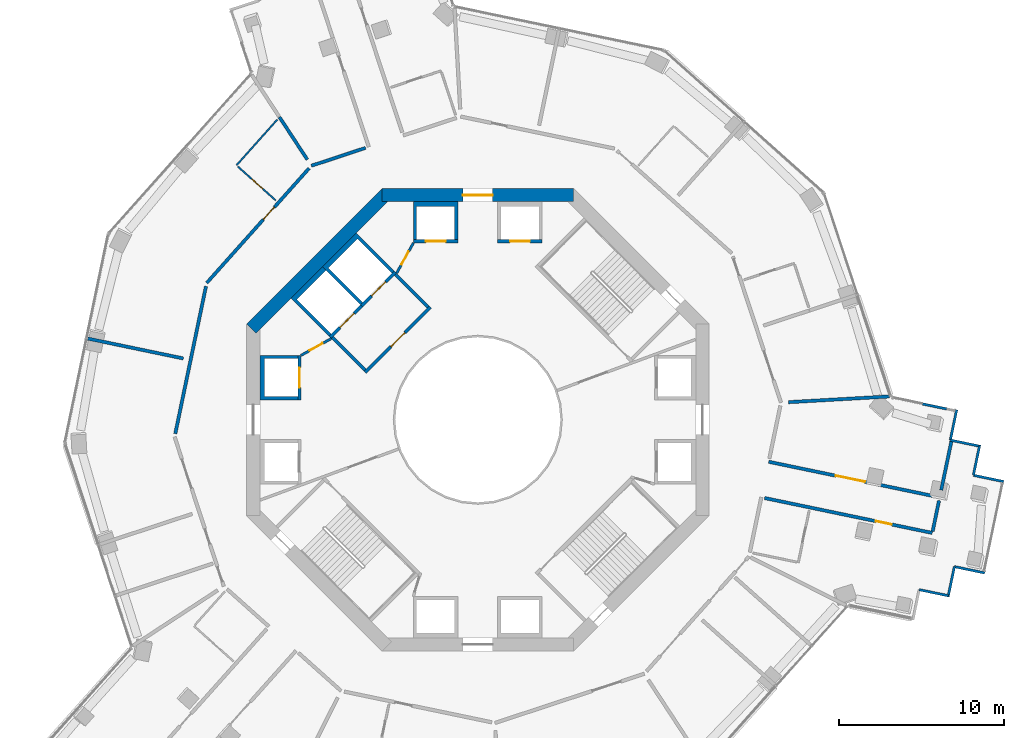
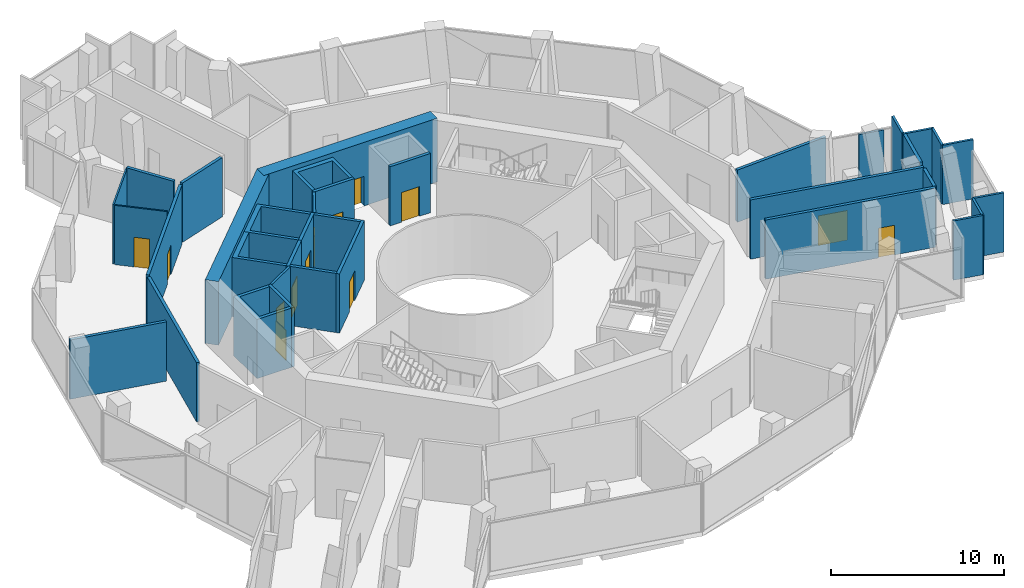
# One storey, part 16 of 21: 36 walls, 13 doors, 13 openings.
"""IFC4 building model written with IfcOpenShell, lengths in metres."""

from ifc_helpers import new_model, si_unit, direction, frame, frame_2d, origin, place, context, subcontext, project, spatial, polyline, rectangle, outline, extrude, material, layer, layer_set, type_object, element, fill, save


model = new_model("IFC4")

# Units and contexts
model_context = context("Model", 3, precision=1e-05, world=origin(), true_north=direction((0.0, 1.0)))
body_context = subcontext(model_context, "Body", "Model", "MODEL_VIEW")
ifc_project = project(units=[si_unit("LENGTHUNIT", "METRE"), si_unit("AREAUNIT", "SQUARE_METRE"), si_unit("VOLUMEUNIT", "CUBIC_METRE"), si_unit("PLANEANGLEUNIT", "RADIAN"), si_unit("MASSUNIT", "GRAM", prefix="KILO")], contexts=[model_context])

# Site, building, storey
site_placement = place(None, origin())
site = spatial("IfcSite", under=ifc_project, at=site_placement, CompositionType="ELEMENT")
building_placement = place(site_placement, origin())
building = spatial("IfcBuilding", under=site, at=building_placement, Name="Verdalira Terraces Hotel", CompositionType="ELEMENT")
storey_placement = place(building_placement, frame((0.0, 0.0, 107.0)))
storey = spatial("IfcBuildingStorey", under=building, at=storey_placement, Name="L25", CompositionType="ELEMENT", Elevation=107.0)

# Wall, opening, door
ifc_material_1 = material(Name="Moisture-resistant gypsum board partition")
ifc_layer_1 = layer(ifc_material_1, 0.10009765625)
ifc_layer_set_1 = layer_set([ifc_layer_1], Name="Bathroom partition 100 mm")
wall_type_1 = type_object("IfcWallType", Name="Bathroom partition 100 mm", PredefinedType="PARTITIONING", material=ifc_layer_set_1)
wall_1_placement = place(storey_placement, frame((-14.537109, 15.33667, 0.0), z_axis=(0.0, 0.0, 1.0), x_axis=(0.745947444, -0.666004813, 0.0)))
wall_1 = element("IfcWall", 1, at=wall_1_placement, inside=storey, type_object=wall_type_1, Name="Bathroom partition", PredefinedType="PARTITIONING", context=body_context, shape_type="SweptSolid", body=[
    extrude(rectangle(XDim=3.099854, YDim=0.100098, at=frame_2d((1.549805, 0.0))), origin(), (0.0, 0.0, 1.0), 4.189941),
])
opening_1_placement = place(wall_1_placement, frame((1.149902, 0.0, 0.0)))
opening_1 = element("IfcOpeningElement", 2, at=opening_1_placement, cuts=wall_1, Name="Opening L25-105", PredefinedType="OPENING", context=body_context, shape_type="SweptSolid", body=[
    extrude(rectangle(XDim=0.899902, YDim=2.100098, at=frame_2d((0.449951, 1.050049))), frame((0.0, 0.060059, 0.0), z_axis=(0.0, -1.0, 0.0), x_axis=(1.0, 0.0, 0.0)), (0.0, 0.0, 1.0), 0.120117),
])
ifc_material_2 = material(Name="Timber door", Category="wood")
door_type_1 = type_object("IfcDoorType", Name="Bathroom door 900 x 2100", OperationType="NOTDEFINED", PredefinedType="DOOR", material=ifc_material_2)
door_1_placement = place(opening_1_placement, origin())
door_1 = element("IfcDoor", 3, at=door_1_placement, inside=storey, type_object=door_type_1, Name="Bathroom door 2503", OperationType="SINGLE_SWING_LEFT", OverallHeight=2.10009765625, OverallWidth=0.89990234375, PredefinedType="DOOR", context=body_context, shape_type="SweptSolid", body=[
    extrude(rectangle(XDim=0.899902, YDim=2.100098, at=frame_2d((0.449951, 1.050049))), frame((0.0, 0.024902, 0.0), z_axis=(0.0, -1.0, 0.0), x_axis=(1.0, 0.0, 0.0)), (0.0, 0.0, 1.0), 0.050049),
])
fill(opening_1, door_1)

# Wall
wall_2_placement = place(storey_placement, frame((-14.611816, 15.40332, 0.0), z_axis=(0.0, 0.0, 1.0), x_axis=(0.665998741, 0.745952865, 0.0)))
element("IfcWall", 4, at=wall_2_placement, inside=storey, type_object=wall_type_1, Name="Bathroom partition", PredefinedType="PARTITIONING", context=body_context, shape_type="SweptSolid", body=[
    extrude(rectangle(XDim=3.703857, YDim=0.100098, at=frame_2d((1.852051, 0.0))), origin(), (0.0, 0.0, 1.0), 4.189941),
])

# Wall, opening, door
ifc_material_3 = material(Name="Concrete C50", Category="concrete")
ifc_layer_2 = layer(ifc_material_3, 0.199951171875)
ifc_layer_set_2 = layer_set([ifc_layer_2], Name="Core RC wall 200 C50")
wall_type_2 = type_object("IfcWallType", Name="Core RC wall 200 C50", PredefinedType="SOLIDWALL", material=ifc_layer_set_2)
wall_3_placement = place(storey_placement, frame((1.199951, 10.800049, 0.0), z_axis=(0.0, 0.0, 1.0), x_axis=(1.0, 0.0, 0.0)))
wall_3 = element("IfcWall", 5, at=wall_3_placement, inside=storey, type_object=wall_type_2, Name="L25 shaft front wall N1", PredefinedType="SOLIDWALL", context=body_context, shape_type="SweptSolid", body=[
    extrude(rectangle(XDim=2.699951, YDim=0.199951, at=frame_2d((1.350098, 0.0))), origin(), (0.0, 0.0, 1.0), 4.189941),
])
opening_2_placement = place(wall_3_placement, frame((0.75, 0.0, 0.0)))
opening_2 = element("IfcOpeningElement", 6, at=opening_2_placement, cuts=wall_3, Name="Opening LD-L25-803", PredefinedType="OPENING", context=body_context, shape_type="SweptSolid", body=[
    extrude(rectangle(XDim=1.199951, YDim=2.100098, at=frame_2d((0.600098, 1.050049))), frame((0.0, 0.109863, 0.0), z_axis=(0.0, -1.0, 0.0), x_axis=(1.0, 0.0, 0.0)), (0.0, 0.0, 1.0), 0.219971),
])
ifc_material_4 = material(Name="Stainless steel", Category="steel")
door_type_2 = type_object("IfcDoorType", Name="Landing door 1200 x 2100", OperationType="NOTDEFINED", PredefinedType="DOOR", material=ifc_material_4)
door_2_placement = place(opening_2_placement, origin())
door_2 = element("IfcDoor", 7, at=door_2_placement, inside=storey, type_object=door_type_2, Name="Lift landing door LR3 L25", OperationType="DOUBLE_DOOR_SLIDING", OverallHeight=2.10009765625, OverallWidth=1.199951171875, PredefinedType="DOOR", context=body_context, shape_type="SweptSolid", body=[
    extrude(rectangle(XDim=1.199951, YDim=2.100098, at=frame_2d((0.600098, 1.050049))), frame((0.0, 0.024902, 0.0), z_axis=(0.0, -1.0, 0.0), x_axis=(1.0, 0.0, 0.0)), (0.0, 0.0, 1.0), 0.050049),
])
fill(opening_2, door_2)

# Wall
wall_4_placement = place(storey_placement, origin())
element("IfcWall", 8, at=wall_4_placement, inside=storey, type_object=wall_type_2, Name="L25 shaft wall N2", PredefinedType="SOLIDWALL", context=body_context, shape_type="SweptSolid", body=[
    extrude(outline(polyline([(-3.899902, 10.899902), (-3.899902, 13.199951), (-1.199951, 13.199951), (-1.199951, 10.899902), (-1.399902, 10.899902), (-1.399902, 12.899902), (-3.699951, 12.899902), (-3.699951, 10.899902), (-3.899902, 10.899902)])), origin(), (0.0, 0.0, 1.0), 4.189941),
])

# Wall, opening, door
wall_5_placement = place(storey_placement, frame((-1.199951, 10.800049, 0.0), z_axis=(0.0, 0.0, 1.0), x_axis=(-1.0, 0.0, 0.0)))
wall_5 = element("IfcWall", 9, at=wall_5_placement, inside=storey, type_object=wall_type_2, Name="L25 shaft front wall N2", PredefinedType="SOLIDWALL", context=body_context, shape_type="SweptSolid", body=[
    extrude(rectangle(XDim=2.699951, YDim=0.199951, at=frame_2d((1.350098, 0.0))), origin(), (0.0, 0.0, 1.0), 4.189941),
])
opening_3_placement = place(wall_5_placement, frame((0.75, 0.0, 0.0)))
opening_3 = element("IfcOpeningElement", 10, at=opening_3_placement, cuts=wall_5, Name="Opening LD-L25-804", PredefinedType="OPENING", context=body_context, shape_type="SweptSolid", body=[
    extrude(rectangle(XDim=1.199951, YDim=2.100098, at=frame_2d((0.600098, 1.050049))), frame((0.0, 0.109863, 0.0), z_axis=(0.0, -1.0, 0.0), x_axis=(1.0, 0.0, 0.0)), (0.0, 0.0, 1.0), 0.219971),
])
door_3_placement = place(opening_3_placement, origin())
door_3 = element("IfcDoor", 11, at=door_3_placement, inside=storey, type_object=door_type_2, Name="Lift landing door LR4 L25", OperationType="DOUBLE_DOOR_SLIDING", OverallHeight=2.10009765625, OverallWidth=1.199951171875, PredefinedType="DOOR", context=body_context, shape_type="SweptSolid", body=[
    extrude(rectangle(XDim=1.199951, YDim=2.100098, at=frame_2d((0.600098, 1.050049))), frame((0.0, 0.024902, 0.0), z_axis=(0.0, -1.0, 0.0), x_axis=(1.0, 0.0, 0.0)), (0.0, 0.0, 1.0), 0.050049),
])
fill(opening_3, door_3)

# Wall
wall_6_placement = place(storey_placement, origin())
element("IfcWall", 12, at=wall_6_placement, inside=storey, type_object=wall_type_2, Name="L25 shaft wall W1", PredefinedType="SOLIDWALL", context=body_context, shape_type="SweptSolid", body=[
    extrude(outline(polyline([(-13.199951, 3.899902), (-10.899902, 3.899902), (-10.899902, 3.699951), (-12.899902, 3.699951), (-12.899902, 1.399902), (-10.899902, 1.399902), (-10.899902, 1.199951), (-13.199951, 1.199951), (-13.199951, 3.899902)])), origin(), (0.0, 0.0, 1.0), 4.189941),
])

# Wall, opening, door
wall_7_placement = place(storey_placement, frame((-10.800049, 1.199951, 0.0), z_axis=(0.0, 0.0, 1.0), x_axis=(0.0, 1.0, 0.0)))
wall_7 = element("IfcWall", 13, at=wall_7_placement, inside=storey, type_object=wall_type_2, Name="L25 shaft front wall W1", PredefinedType="SOLIDWALL", context=body_context, shape_type="SweptSolid", body=[
    extrude(rectangle(XDim=2.699951, YDim=0.199951, at=frame_2d((1.350098, 0.0))), origin(), (0.0, 0.0, 1.0), 4.189941),
])
opening_4_placement = place(wall_7_placement, frame((0.75, 0.0, 0.0)))
opening_4 = element("IfcOpeningElement", 14, at=opening_4_placement, cuts=wall_7, Name="Opening LD-L25-805", PredefinedType="OPENING", context=body_context, shape_type="SweptSolid", body=[
    extrude(rectangle(XDim=1.199951, YDim=2.100098, at=frame_2d((0.600098, 1.050049))), frame((0.0, 0.109863, 0.0), z_axis=(0.0, -1.0, 0.0), x_axis=(1.0, 0.0, 0.0)), (0.0, 0.0, 1.0), 0.219971),
])
door_4_placement = place(opening_4_placement, origin())
door_4 = element("IfcDoor", 15, at=door_4_placement, inside=storey, type_object=door_type_2, Name="Lift landing door LR5 L25", OperationType="DOUBLE_DOOR_SLIDING", OverallHeight=2.10009765625, OverallWidth=1.199951171875, PredefinedType="DOOR", context=body_context, shape_type="SweptSolid", body=[
    extrude(rectangle(XDim=1.199951, YDim=2.100098, at=frame_2d((0.600098, 1.050049))), frame((0.0, 0.024902, 0.0), z_axis=(0.0, -1.0, 0.0), x_axis=(1.0, 0.0, 0.0)), (0.0, 0.0, 1.0), 0.050049),
])
fill(opening_4, door_4)

# Wall
wall_8_placement = place(storey_placement, origin())
element("IfcWall", 16, at=wall_8_placement, inside=storey, type_object=wall_type_2, Name="L25 shaft wall F1", PredefinedType="SOLIDWALL", context=body_context, shape_type="SweptSolid", body=[
    extrude(outline(polyline([(-9.404541, 9.263184), (-7.354004, 11.313721), (-5.055908, 9.015625), (-5.197266, 8.874268), (-7.283203, 10.960205), (-9.051025, 9.192383), (-6.965088, 7.106445), (-7.106445, 6.965088), (-9.404541, 9.263184)])), origin(), (0.0, 0.0, 1.0), 4.189941),
])

# Wall, opening, door
wall_9_placement = place(storey_placement, frame((-4.985107, 8.944824, 0.0), z_axis=(0.0, 0.0, 1.0), x_axis=(-0.707106781, -0.707106781, 0.0)))
wall_9 = element("IfcWall", 17, at=wall_9_placement, inside=storey, type_object=wall_type_2, Name="L25 shaft front wall F1", PredefinedType="SOLIDWALL", context=body_context, shape_type="SweptSolid", body=[
    extrude(rectangle(XDim=2.899902, YDim=0.199951, at=frame_2d((1.449951, 0.0))), origin(), (0.0, 0.0, 1.0), 4.189941),
])
opening_5_placement = place(wall_9_placement, frame((0.850098, 0.0, 0.0)))
opening_5 = element("IfcOpeningElement", 18, at=opening_5_placement, cuts=wall_9, Name="Opening LD-L25-807", PredefinedType="OPENING", context=body_context, shape_type="SweptSolid", body=[
    extrude(rectangle(XDim=1.199951, YDim=2.100098, at=frame_2d((0.600098, 1.050049))), frame((0.0, 0.109863, 0.0), z_axis=(0.0, -1.0, 0.0), x_axis=(1.0, 0.0, 0.0)), (0.0, 0.0, 1.0), 0.219971),
])
door_5_placement = place(opening_5_placement, origin())
door_5 = element("IfcDoor", 19, at=door_5_placement, inside=storey, type_object=door_type_2, Name="Lift landing door LF11 L25", OperationType="DOUBLE_DOOR_SLIDING", OverallHeight=2.10009765625, OverallWidth=1.199951171875, PredefinedType="DOOR", context=body_context, shape_type="SweptSolid", body=[
    extrude(rectangle(XDim=1.199951, YDim=2.100098, at=frame_2d((0.600098, 1.050049))), frame((0.0, 0.024902, 0.0), z_axis=(0.0, -1.0, 0.0), x_axis=(1.0, 0.0, 0.0)), (0.0, 0.0, 1.0), 0.050049),
])
fill(opening_5, door_5)

# Wall
wall_10_placement = place(storey_placement, origin())
element("IfcWall", 20, at=wall_10_placement, inside=storey, type_object=wall_type_2, Name="L25 shaft wall F2", PredefinedType="SOLIDWALL", context=body_context, shape_type="SweptSolid", body=[
    extrude(outline(polyline([(-11.313721, 7.354004), (-9.404541, 9.263184), (-9.192383, 9.051025), (-10.960205, 7.283203), (-8.874268, 5.197266), (-9.015625, 5.055908), (-11.313721, 7.354004)])), origin(), (0.0, 0.0, 1.0), 4.189941),
])

# Wall, opening, door
wall_11_placement = place(storey_placement, frame((-7.035645, 6.894287, 0.0), z_axis=(0.0, 0.0, 1.0), x_axis=(-0.707106781, -0.707106781, 0.0)))
wall_11 = element("IfcWall", 21, at=wall_11_placement, inside=storey, type_object=wall_type_2, Name="L25 shaft front wall F2", PredefinedType="SOLIDWALL", context=body_context, shape_type="SweptSolid", body=[
    extrude(rectangle(XDim=2.699951, YDim=0.199951, at=frame_2d((1.350098, 0.0))), origin(), (0.0, 0.0, 1.0), 4.189941),
])
opening_6_placement = place(wall_11_placement, frame((0.649902, 0.0, 0.0)))
opening_6 = element("IfcOpeningElement", 22, at=opening_6_placement, cuts=wall_11, Name="Opening LD-L25-808", PredefinedType="OPENING", context=body_context, shape_type="SweptSolid", body=[
    extrude(rectangle(XDim=1.199951, YDim=2.100098, at=frame_2d((0.600098, 1.050049))), frame((0.0, 0.109863, 0.0), z_axis=(0.0, -1.0, 0.0), x_axis=(1.0, 0.0, 0.0)), (0.0, 0.0, 1.0), 0.219971),
])
door_6_placement = place(opening_6_placement, origin())
door_6 = element("IfcDoor", 23, at=door_6_placement, inside=storey, type_object=door_type_2, Name="Lift landing door LF12 L25", OperationType="DOUBLE_DOOR_SLIDING", OverallHeight=2.10009765625, OverallWidth=1.199951171875, PredefinedType="DOOR", context=body_context, shape_type="SweptSolid", body=[
    extrude(rectangle(XDim=1.199951, YDim=2.100098, at=frame_2d((0.600098, 1.050049))), frame((0.0, 0.024902, 0.0), z_axis=(0.0, -1.0, 0.0), x_axis=(1.0, 0.0, 0.0)), (0.0, 0.0, 1.0), 0.050049),
])
fill(opening_6, door_6)

wall_12_placement = place(storey_placement, frame((-2.86377, 6.823486, 0.0), z_axis=(0.0, 0.0, 1.0), x_axis=(-0.707106781, -0.707106781, 0.0)))
wall_12 = element("IfcWall", 24, at=wall_12_placement, inside=storey, type_object=wall_type_2, Name="L25 fire lobby wall", PredefinedType="SOLIDWALL", context=body_context, shape_type="SweptSolid", body=[
    extrude(rectangle(XDim=5.599854, YDim=0.199951, at=frame_2d((2.799805, 0.0))), origin(), (0.0, 0.0, 1.0), 4.189941),
])
opening_7_placement = place(wall_12_placement, frame((2.199951, 0.0, 0.0)))
opening_7 = element("IfcOpeningElement", 25, at=opening_7_placement, cuts=wall_12, Name="Opening L25-819", PredefinedType="OPENING", context=body_context, shape_type="SweptSolid", body=[
    extrude(rectangle(XDim=1.199951, YDim=2.100098, at=frame_2d((0.600098, 1.050049))), frame((0.0, 0.109863, 0.0), z_axis=(0.0, -1.0, 0.0), x_axis=(1.0, 0.0, 0.0)), (0.0, 0.0, 1.0), 0.219971),
])
ifc_material_5 = material(Name="Steel fire door", Category="steel")
door_type_3 = type_object("IfcDoorType", Name="Lobby door 1200 x 2100", OperationType="NOTDEFINED", PredefinedType="DOOR", material=ifc_material_5)
door_7_placement = place(opening_7_placement, origin())
door_7 = element("IfcDoor", 26, at=door_7_placement, inside=storey, type_object=door_type_3, Name="Fire lobby door L25", OperationType="SINGLE_SWING_LEFT", OverallHeight=2.10009765625, OverallWidth=1.199951171875, PredefinedType="DOOR", context=body_context, shape_type="SweptSolid", body=[
    extrude(rectangle(XDim=1.199951, YDim=2.100098, at=frame_2d((0.600098, 1.050049))), frame((0.0, 0.024902, 0.0), z_axis=(0.0, -1.0, 0.0), x_axis=(1.0, 0.0, 0.0)), (0.0, 0.0, 1.0), 0.050049),
])
fill(opening_7, door_7)

# Walls
for number, where, z_axis, x_axis, name in (
    (27, (-3.005127, 6.823486, 0.0), (0.0, 0.0, 1.0), (-0.707106781, 0.707106781, 0.0), "L25 fire lobby wall"),
    (28, (-6.823486, 3.005127, 0.0), (0.0, 0.0, 1.0), (-0.707106781, 0.707106781, 0.0), "L25 fire lobby wall"),
):
    element("IfcWall", number, at=place(storey_placement, frame(where, z_axis=z_axis, x_axis=x_axis)), inside=storey, type_object=wall_type_2, Name=name, PredefinedType="SOLIDWALL", context=body_context, shape_type="SweptSolid", body=[
        extrude(rectangle(XDim=2.800049, YDim=0.199951, at=frame_2d((1.399902, 0.0))), origin(), (0.0, 0.0, 1.0), 4.189941),
    ])

# Wall, opening, door
ifc_material_6 = material(Name="Gypsum board partition")
ifc_layer_3 = layer(ifc_material_6, 0.14990234375)
ifc_layer_set_3 = layer_set([ifc_layer_3], Name="Core partition 150 mm")
wall_type_3 = type_object("IfcWallType", Name="Core partition 150 mm", PredefinedType="PARTITIONING", material=ifc_layer_set_3)
wall_13_placement = place(storey_placement, frame((-3.899902, 10.699951, 0.0), z_axis=(0.0, 0.0, 1.0), x_axis=(-0.485692555, -0.874129705, 0.0)))
wall_13 = element("IfcWall", 29, at=wall_13_placement, inside=storey, type_object=wall_type_3, Name="Room partition L25", PredefinedType="PARTITIONING", context=body_context, shape_type="SweptSolid", body=[
    extrude(rectangle(XDim=2.088623, YDim=0.149902, at=frame_2d((1.044434, 0.0))), origin(), (0.0, 0.0, 1.0), 4.189941),
])
opening_8_placement = place(wall_13_placement, frame((0.594238, 0.0, 0.0)))
opening_8 = element("IfcOpeningElement", 30, at=opening_8_placement, cuts=wall_13, Name="Opening L25-820", PredefinedType="OPENING", context=body_context, shape_type="SweptSolid", body=[
    extrude(rectangle(XDim=0.899902, YDim=2.100098, at=frame_2d((0.449951, 1.050049))), frame((0.0, 0.084961, 0.0), z_axis=(0.0, -1.0, 0.0), x_axis=(1.0, 0.0, 0.0)), (0.0, 0.0, 1.0), 0.169922),
])
ifc_material_7 = material(Name="Steel fire door", Category="steel")
door_type_4 = type_object("IfcDoorType", Name="Core room door 900 x 2100", OperationType="NOTDEFINED", PredefinedType="DOOR", material=ifc_material_7)
door_8_placement = place(opening_8_placement, origin())
door_8 = element("IfcDoor", 31, at=door_8_placement, inside=storey, type_object=door_type_4, Name="Door L25 room2", OperationType="SINGLE_SWING_LEFT", OverallHeight=2.10009765625, OverallWidth=0.89990234375, PredefinedType="DOOR", context=body_context, shape_type="SweptSolid", body=[
    extrude(rectangle(XDim=0.899902, YDim=2.100098, at=frame_2d((0.449951, 1.050049))), frame((0.0, 0.024902, 0.0), z_axis=(0.0, -1.0, 0.0), x_axis=(1.0, 0.0, 0.0)), (0.0, 0.0, 1.0), 0.050049),
])
fill(opening_8, door_8)

wall_14_placement = place(storey_placement, frame((-8.874268, 4.914307, 0.0), z_axis=(0.0, 0.0, 1.0), x_axis=(-0.874129705, -0.485692555, 0.0)))
wall_14 = element("IfcWall", 32, at=wall_14_placement, inside=storey, type_object=wall_type_3, Name="Room partition L25", PredefinedType="PARTITIONING", context=body_context, shape_type="SweptSolid", body=[
    extrude(rectangle(XDim=2.088623, YDim=0.149902, at=frame_2d((1.044434, 0.0))), origin(), (0.0, 0.0, 1.0), 4.189941),
])
opening_9_placement = place(wall_14_placement, frame((0.594238, 0.0, 0.0)))
opening_9 = element("IfcOpeningElement", 33, at=opening_9_placement, cuts=wall_14, Name="Opening L25-821", PredefinedType="OPENING", context=body_context, shape_type="SweptSolid", body=[
    extrude(rectangle(XDim=0.899902, YDim=2.100098, at=frame_2d((0.449951, 1.050049))), frame((0.0, 0.084961, 0.0), z_axis=(0.0, -1.0, 0.0), x_axis=(1.0, 0.0, 0.0)), (0.0, 0.0, 1.0), 0.169922),
])
door_9_placement = place(opening_9_placement, origin())
door_9 = element("IfcDoor", 34, at=door_9_placement, inside=storey, type_object=door_type_4, Name="Door L25 room3", OperationType="SINGLE_SWING_LEFT", OverallHeight=2.10009765625, OverallWidth=0.89990234375, PredefinedType="DOOR", context=body_context, shape_type="SweptSolid", body=[
    extrude(rectangle(XDim=0.899902, YDim=2.100098, at=frame_2d((0.449951, 1.050049))), frame((0.0, 0.024902, 0.0), z_axis=(0.0, -1.0, 0.0), x_axis=(1.0, 0.0, 0.0)), (0.0, 0.0, 1.0), 0.050049),
])
fill(opening_9, door_9)

ifc_material_8 = material(Name="Concrete C70", Category="concrete")
ifc_layer_4 = layer(ifc_material_8, 0.800048828125)
ifc_layer_set_4 = layer_set([ifc_layer_4], Name="Core wall 800 C70")
wall_type_4 = type_object("IfcWallType", Name="Core wall 800 C70", PredefinedType="SHEAR", material=ifc_layer_set_4)
wall_15_placement = place(storey_placement, frame((5.799072, 13.600098, 0.0), z_axis=(0.0, 0.0, 1.0), x_axis=(-1.0, 0.0, 0.0)))
wall_15 = element("IfcWall", 35, at=wall_15_placement, inside=storey, type_object=wall_type_4, Name="Core wall CW-L25-3", PredefinedType="SHEAR", context=body_context, shape_type="SweptSolid", body=[
    extrude(rectangle(XDim=11.598145, YDim=0.800049, at=frame_2d((5.799072, 0.0))), origin(), (0.0, 0.0, 1.0), 4.5),
])
opening_10_placement = place(wall_15_placement, frame((4.898926, 0.0, 0.0)))
opening_10 = element("IfcOpeningElement", 36, at=opening_10_placement, cuts=wall_15, Name="Opening L25-813", PredefinedType="OPENING", context=body_context, shape_type="SweptSolid", body=[
    extrude(rectangle(XDim=1.800049, YDim=2.100098, at=frame_2d((0.899902, 1.050049))), frame((0.0, 0.409912, 0.0), z_axis=(0.0, -1.0, 0.0), x_axis=(1.0, 0.0, 0.0)), (0.0, 0.0, 1.0), 0.820068),
])
ifc_material_9 = material(Name="Steel fire door", Category="steel")
door_type_5 = type_object("IfcDoorType", Name="Core entry door pair 1800 x 2100", OperationType="NOTDEFINED", PredefinedType="DOOR", material=ifc_material_9)
door_10_placement = place(opening_10_placement, origin())
door_10 = element("IfcDoor", 37, at=door_10_placement, inside=storey, type_object=door_type_5, Name="Core entry door L25 2", OperationType="DOUBLE_DOOR_SINGLE_SWING", OverallHeight=2.10009765625, OverallWidth=1.800048828125, PredefinedType="DOOR", context=body_context, shape_type="SweptSolid", body=[
    extrude(rectangle(XDim=1.800049, YDim=2.100098, at=frame_2d((0.899902, 1.050049))), frame((0.0, 0.024902, 0.0), z_axis=(0.0, -1.0, 0.0), x_axis=(1.0, 0.0, 0.0)), (0.0, 0.0, 1.0), 0.050049),
])
fill(opening_10, door_10)

# Walls
wall_16_placement = place(storey_placement, frame((-5.516113, 13.717285, 0.0), z_axis=(0.0, 0.0, 1.0), x_axis=(-0.707106781, -0.707106781, 0.0)))
element("IfcWall", 38, at=wall_16_placement, inside=storey, type_object=wall_type_4, Name="Core wall CW-L25-4", PredefinedType="SHEAR", context=body_context, shape_type="SweptSolid", body=[
    extrude(rectangle(XDim=11.598145, YDim=0.800049, at=frame_2d((5.799072, 0.0))), origin(), (0.0, 0.0, 1.0), 4.5),
])
ifc_material_10 = material(Name="Fire-rated gypsum board wall")
ifc_layer_5 = layer(ifc_material_10, 0.199951171875)
ifc_layer_set_5 = layer_set([ifc_layer_5], Name="Demising wall 200 mm")
wall_type_5 = type_object("IfcWallType", Name="Demising wall 200 mm", PredefinedType="SOLIDWALL", material=ifc_layer_set_5)
wall_17_placement = place(storey_placement, frame((-23.602295, 4.913574, 0.0), z_axis=(0.0, 0.0, 1.0), x_axis=(0.979007251, -0.203825422, 0.0)))
element("IfcWall", 39, at=wall_17_placement, inside=storey, type_object=wall_type_5, Name="Demising wall", PredefinedType="SOLIDWALL", context=body_context, shape_type="SweptSolid", body=[
    extrude(rectangle(XDim=5.902832, YDim=0.199951, at=frame_2d((2.951416, 0.0))), origin(), (0.0, 0.0, 1.0), 4.189941),
])
wall_18_placement = place(storey_placement, frame((28.666504, -1.318359, 0.0), z_axis=(0.0, 0.0, 1.0), x_axis=(-0.203782281, -0.979016232, 0.0)))
element("IfcWall", 40, at=wall_18_placement, inside=storey, type_object=wall_type_5, Name="Demising wall", PredefinedType="SOLIDWALL", context=body_context, shape_type="SweptSolid", body=[
    extrude(rectangle(XDim=3.004639, YDim=0.199951, at=frame_2d((1.502441, 0.0))), origin(), (0.0, 0.0, 1.0), 4.189941),
])
ifc_material_11 = material(Name="Fire-rated gypsum board wall")
ifc_layer_6 = layer(ifc_material_11, 0.199951171875)
ifc_layer_set_6 = layer_set([ifc_layer_6], Name="Demising wall 200 mm to beam soffit")
wall_type_6 = type_object("IfcWallType", Name="Demising wall 200 mm to beam soffit", PredefinedType="SOLIDWALL", material=ifc_layer_set_6)
wall_19_placement = place(storey_placement, frame((18.802002, 1.064453, 0.0), z_axis=(0.0, 0.0, 1.0), x_axis=(0.998402736, 0.056497587, 0.0)))
element("IfcWall", 41, at=wall_19_placement, inside=storey, type_object=wall_type_6, Name="Demising wall", PredefinedType="SOLIDWALL", context=body_context, shape_type="SweptSolid", body=[
    extrude(rectangle(XDim=6.131836, YDim=0.199951, at=frame_2d((3.065918, 0.0))), origin(), (0.0, 0.0, 1.0), 3.689941),
])
ifc_material_12 = material(Name="Fire-rated gypsum board wall")
ifc_layer_7 = layer(ifc_material_12, 0.199951171875)
ifc_layer_set_7 = layer_set([ifc_layer_7], Name="Guest corridor wall 200 mm")
wall_type_7 = type_object("IfcWallType", Name="Guest corridor wall 200 mm", PredefinedType="SOLIDWALL", material=ifc_layer_set_7)
wall_20_placement = place(storey_placement, frame((-16.456543, 8.081543, 0.0), z_axis=(0.0, 0.0, 1.0), x_axis=(-0.203815215, -0.979009376, 0.0)))
element("IfcWall", 42, at=wall_20_placement, inside=storey, type_object=wall_type_7, Name="Guest corridor wall", PredefinedType="SOLIDWALL", context=body_context, shape_type="SweptSolid", body=[
    extrude(rectangle(XDim=9.115723, YDim=0.199951, at=frame_2d((4.557861, 0.0))), origin(), (0.0, 0.0, 1.0), 4.189941),
])

# Wall, opening, door
wall_21_placement = place(storey_placement, frame((-16.415283, 8.27832, 0.0), z_axis=(0.0, 0.0, 1.0), x_axis=(0.666011603, 0.745941381, 0.0)))
wall_21 = element("IfcWall", 43, at=wall_21_placement, inside=storey, type_object=wall_type_7, Name="Guest corridor wall", PredefinedType="SOLIDWALL", context=body_context, shape_type="SweptSolid", body=[
    extrude(rectangle(XDim=9.315918, YDim=0.199951, at=frame_2d((4.657959, 0.0))), origin(), (0.0, 0.0, 1.0), 4.189941),
])
opening_11_placement = place(wall_21_placement, frame((5.149902, 0.0, 0.0)))
opening_11 = element("IfcOpeningElement", 44, at=opening_11_placement, cuts=wall_21, Name="Opening L25-104", PredefinedType="OPENING", context=body_context, shape_type="SweptSolid", body=[
    extrude(rectangle(XDim=1.0, YDim=2.100098, at=frame_2d((0.5, 1.050049))), frame((0.0, 0.109863, 0.0), z_axis=(0.0, -1.0, 0.0), x_axis=(1.0, 0.0, 0.0)), (0.0, 0.0, 1.0), 0.219971),
])
ifc_material_13 = material(Name="Timber fire door", Category="wood")
door_type_6 = type_object("IfcDoorType", Name="Guest entry door 1000 x 2100", OperationType="NOTDEFINED", PredefinedType="DOOR", material=ifc_material_13)
door_11_placement = place(opening_11_placement, origin())
door_11 = element("IfcDoor", 45, at=door_11_placement, inside=storey, type_object=door_type_6, Name="Guest entry door 2503", OperationType="SINGLE_SWING_LEFT", OverallHeight=2.10009765625, OverallWidth=1.0, PredefinedType="DOOR", context=body_context, shape_type="SweptSolid", body=[
    extrude(rectangle(XDim=1.0, YDim=2.100098, at=frame_2d((0.5, 1.050049))), frame((0.0, 0.024902, 0.0), z_axis=(0.0, -1.0, 0.0), x_axis=(1.0, 0.0, 0.0)), (0.0, 0.0, 1.0), 0.050049),
])
fill(opening_11, door_11)

# Wall
wall_22_placement = place(storey_placement, frame((-6.792969, 16.458984, 0.0), z_axis=(0.0, 0.0, 1.0), x_axis=(-0.949764912, -0.312964235, 0.0)))
element("IfcWall", 46, at=wall_22_placement, inside=storey, type_object=wall_type_7, Name="Guest corridor wall", PredefinedType="SOLIDWALL", context=body_context, shape_type="SweptSolid", body=[
    extrude(rectangle(XDim=3.458252, YDim=0.199951, at=frame_2d((1.729004, 0.0))), origin(), (0.0, 0.0, 1.0), 4.189941),
])

# Wall, opening, door
wall_23_placement = place(storey_placement, frame((27.512695, -6.851318, 0.0), z_axis=(0.0, 0.0, 1.0), x_axis=(-0.979008802, 0.203817973, 0.0)))
wall_23 = element("IfcWall", 47, at=wall_23_placement, inside=storey, type_object=wall_type_7, Name="Guest corridor wall", PredefinedType="SOLIDWALL", context=body_context, shape_type="SweptSolid", body=[
    extrude(rectangle(XDim=10.373291, YDim=0.199951, at=frame_2d((5.186523, 0.0))), origin(), (0.0, 0.0, 1.0), 4.189941),
])
opening_12_placement = place(wall_23_placement, frame((2.5, 0.0, 0.0)))
opening_12 = element("IfcOpeningElement", 48, at=opening_12_placement, cuts=wall_23, Name="Opening L25-114", PredefinedType="OPENING", context=body_context, shape_type="SweptSolid", body=[
    extrude(rectangle(XDim=1.0, YDim=2.100098, at=frame_2d((0.5, 1.050049))), frame((0.0, 0.109863, 0.0), z_axis=(0.0, -1.0, 0.0), x_axis=(1.0, 0.0, 0.0)), (0.0, 0.0, 1.0), 0.219971),
])
door_12_placement = place(opening_12_placement, origin())
door_12 = element("IfcDoor", 49, at=door_12_placement, inside=storey, type_object=door_type_6, Name="Guest entry door 2510", OperationType="SINGLE_SWING_LEFT", OverallHeight=2.10009765625, OverallWidth=1.0, PredefinedType="DOOR", context=body_context, shape_type="SweptSolid", body=[
    extrude(rectangle(XDim=1.0, YDim=2.100098, at=frame_2d((0.5, 1.050049))), frame((0.0, 0.024902, 0.0), z_axis=(0.0, -1.0, 0.0), x_axis=(1.0, 0.0, 0.0)), (0.0, 0.0, 1.0), 0.050049),
])
fill(opening_12, door_12)

wall_24_placement = place(storey_placement, frame((17.609863, -2.54248, 0.0), z_axis=(0.0, 0.0, 1.0), x_axis=(0.979010756, -0.203808587, 0.0)))
wall_24 = element("IfcWall", 50, at=wall_24_placement, inside=storey, type_object=wall_type_7, Name="Guest corridor wall", PredefinedType="SOLIDWALL", context=body_context, shape_type="SweptSolid", body=[
    extrude(rectangle(XDim=10.574951, YDim=0.199951, at=frame_2d((5.287598, 0.0))), origin(), (0.0, 0.0, 1.0), 4.189941),
])
opening_13_placement = place(wall_24_placement, frame((4.149902, 0.0, 0.0)))
opening_13 = element("IfcOpeningElement", 51, at=opening_13_placement, cuts=wall_24, Name="Opening L25-116", PredefinedType="OPENING", context=body_context, shape_type="SweptSolid", body=[
    extrude(rectangle(XDim=1.800049, YDim=2.100098, at=frame_2d((0.899902, 1.050049))), frame((0.0, 0.109863, 0.0), z_axis=(0.0, -1.0, 0.0), x_axis=(1.0, 0.0, 0.0)), (0.0, 0.0, 1.0), 0.219971),
])
ifc_material_14 = material(Name="Timber fire door", Category="wood")
door_type_7 = type_object("IfcDoorType", Name="Public room double door 1800 x 2100", OperationType="NOTDEFINED", PredefinedType="DOOR", material=ifc_material_14)
door_13_placement = place(opening_13_placement, origin())
door_13 = element("IfcDoor", 52, at=door_13_placement, inside=storey, type_object=door_type_7, Name="Public room double door 2511", OperationType="DOUBLE_DOOR_SINGLE_SWING", OverallHeight=2.10009765625, OverallWidth=1.800048828125, PredefinedType="DOOR", context=body_context, shape_type="SweptSolid", body=[
    extrude(rectangle(XDim=1.800049, YDim=2.100098, at=frame_2d((0.899902, 1.050049))), frame((0.0, 0.024902, 0.0), z_axis=(0.0, -1.0, 0.0), x_axis=(1.0, 0.0, 0.0)), (0.0, 0.0, 1.0), 0.050049),
])
fill(opening_13, door_13)

# Walls
wall_25_placement = place(storey_placement, frame((27.5354, -6.751709, 0.0), z_axis=(0.0, 0.0, 1.0), x_axis=(0.203795181, 0.979013546, 0.0)))
element("IfcWall", 53, at=wall_25_placement, inside=storey, type_object=wall_type_7, Name="Guest corridor wall", PredefinedType="SOLIDWALL", context=body_context, shape_type="SweptSolid", body=[
    extrude(rectangle(XDim=1.899902, YDim=0.199951, at=frame_2d((0.949951, 0.0))), origin(), (0.0, 0.0, 1.0), 4.189941),
])
ifc_material_15 = material(Name="Fire-rated gypsum board wall")
ifc_layer_8 = layer(ifc_material_15, 0.199951171875)
ifc_layer_set_8 = layer_set([ifc_layer_8], Name="Service room wall 200 mm")
wall_type_8 = type_object("IfcWallType", Name="Service room wall 200 mm", PredefinedType="SOLIDWALL", material=ifc_layer_set_8)
wall_26_placement = place(storey_placement, frame((-10.322754, 15.750732, 0.0), z_axis=(0.0, 0.0, 1.0), x_axis=(-0.548104797, 0.836409667, 0.0)))
element("IfcWall", 54, at=wall_26_placement, inside=storey, type_object=wall_type_8, Name="Service room wall", PredefinedType="SOLIDWALL", context=body_context, shape_type="SweptSolid", body=[
    extrude(rectangle(XDim=3.074707, YDim=0.199951, at=frame_2d((1.537354, 0.0))), origin(), (0.0, 0.0, 1.0), 4.189941),
])
ifc_material_16 = material(Name="Terracotta cladding", Category="masonry")
ifc_layer_9 = layer(ifc_material_16, 0.14990234375)
ifc_layer_set_9 = layer_set([ifc_layer_9], Name="Terracotta clad wall 150")
wall_type_9 = type_object("IfcWallType", Name="Terracotta clad wall 150", PredefinedType="SOLIDWALL", material=ifc_layer_set_9)
wall_27_placement = place(storey_placement, frame((26.722656, -10.287354, 0.0), z_axis=(0.0, 0.0, 1.0), x_axis=(0.979000726, -0.20385676, 0.0)))
element("IfcWall", 55, at=wall_27_placement, inside=storey, type_object=wall_type_9, Name="Terracotta cladding wall", PredefinedType="SOLIDWALL", context=body_context, shape_type="SweptSolid", body=[
    extrude(rectangle(XDim=1.800049, YDim=0.149902, at=frame_2d((0.899902, 0.0))), origin(), (0.0, 0.0, 1.0), 4.189941),
])
wall_28_placement = place(storey_placement, frame((28.469727, -10.727539, 0.0), z_axis=(0.0, 0.0, 1.0), x_axis=(0.203798245, 0.979012909, 0.0)))
element("IfcWall", 56, at=wall_28_placement, inside=storey, type_object=wall_type_9, Name="Terracotta cladding wall", PredefinedType="SOLIDWALL", context=body_context, shape_type="SweptSolid", body=[
    extrude(rectangle(XDim=1.874756, YDim=0.149902, at=frame_2d((0.9375, 0.0))), origin(), (0.0, 0.0, 1.0), 4.189941),
])
wall_29_placement = place(storey_placement, frame((28.851807, -8.89209, 0.0), z_axis=(0.0, 0.0, 1.0), x_axis=(0.979018316, -0.203772266, 0.0)))
element("IfcWall", 57, at=wall_29_placement, inside=storey, type_object=wall_type_9, Name="Terracotta cladding wall", PredefinedType="SOLIDWALL", context=body_context, shape_type="SweptSolid", body=[
    extrude(rectangle(XDim=1.875, YDim=0.149902, at=frame_2d((0.9375, 0.0))), origin(), (0.0, 0.0, 1.0), 4.189941),
])
wall_30_placement = place(storey_placement, frame((31.838867, -3.742676, 0.0), z_axis=(0.0, 0.0, 1.0), x_axis=(-0.979012909, 0.203798245, 0.0)))
element("IfcWall", 58, at=wall_30_placement, inside=storey, type_object=wall_type_9, Name="Terracotta cladding wall", PredefinedType="SOLIDWALL", context=body_context, shape_type="SweptSolid", body=[
    extrude(rectangle(XDim=1.874756, YDim=0.149902, at=frame_2d((0.9375, 0.0))), origin(), (0.0, 0.0, 1.0), 4.189941),
])
wall_31_placement = place(storey_placement, frame((30.003418, -3.360596, 0.0), z_axis=(0.0, 0.0, 1.0), x_axis=(0.203726758, 0.979027787, 0.0)))
element("IfcWall", 59, at=wall_31_placement, inside=storey, type_object=wall_type_9, Name="Terracotta cladding wall", PredefinedType="SOLIDWALL", context=body_context, shape_type="SweptSolid", body=[
    extrude(rectangle(XDim=1.800049, YDim=0.149902, at=frame_2d((0.899902, 0.0))), origin(), (0.0, 0.0, 1.0), 4.189941),
])
for number, where, z_axis, x_axis, name in (
    (60, (30.443604, -1.61377, 0.0), (0.0, 0.0, 1.0), (-0.978992333, 0.20389706, 0.0), "Terracotta cladding wall"),
    (61, (28.60791, -1.231445, 0.0), (0.0, 0.0, 1.0), (0.20389706, 0.978992333, 0.0), "Terracotta cladding wall"),
):
    element("IfcWall", number, at=place(storey_placement, frame(where, z_axis=z_axis, x_axis=x_axis)), inside=storey, type_object=wall_type_9, Name=name, PredefinedType="SOLIDWALL", context=body_context, shape_type="SweptSolid", body=[
        extrude(rectangle(XDim=1.875, YDim=0.149902, at=frame_2d((0.9375, 0.0))), origin(), (0.0, 0.0, 1.0), 4.189941),
    ])
ifc_material_17 = material(Name="Terracotta cladding", Category="masonry")
ifc_layer_10 = layer(ifc_material_17, 0.14990234375)
ifc_layer_set_10 = layer_set([ifc_layer_10], Name="Terracotta column pier 150")
wall_type_10 = type_object("IfcWallType", Name="Terracotta column pier 150", PredefinedType="SOLIDWALL", material=ifc_layer_set_10)
wall_32_placement = place(storey_placement, frame((28.382568, 0.654053, 0.0), z_axis=(0.0, 0.0, 1.0), x_axis=(-0.979015362, 0.203786459, 0.0)))
element("IfcWall", 62, at=wall_32_placement, inside=storey, type_object=wall_type_10, Name="Terracotta column pier", PredefinedType="SOLIDWALL", context=body_context, shape_type="SweptSolid", body=[
    extrude(rectangle(XDim=1.510742, YDim=0.149902, at=frame_2d((0.755371, 0.0))), origin(), (0.0, 0.0, 1.0), 3.419922),
])

save(model, "model.ifc")
